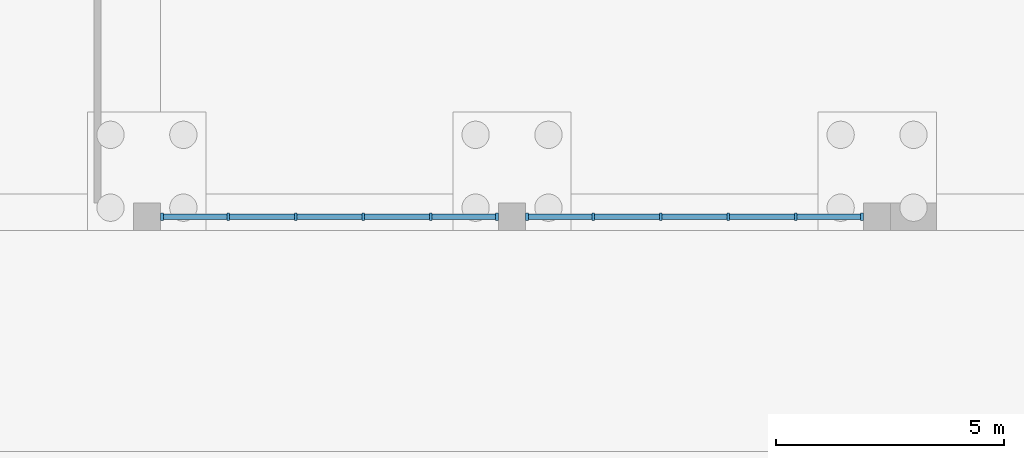
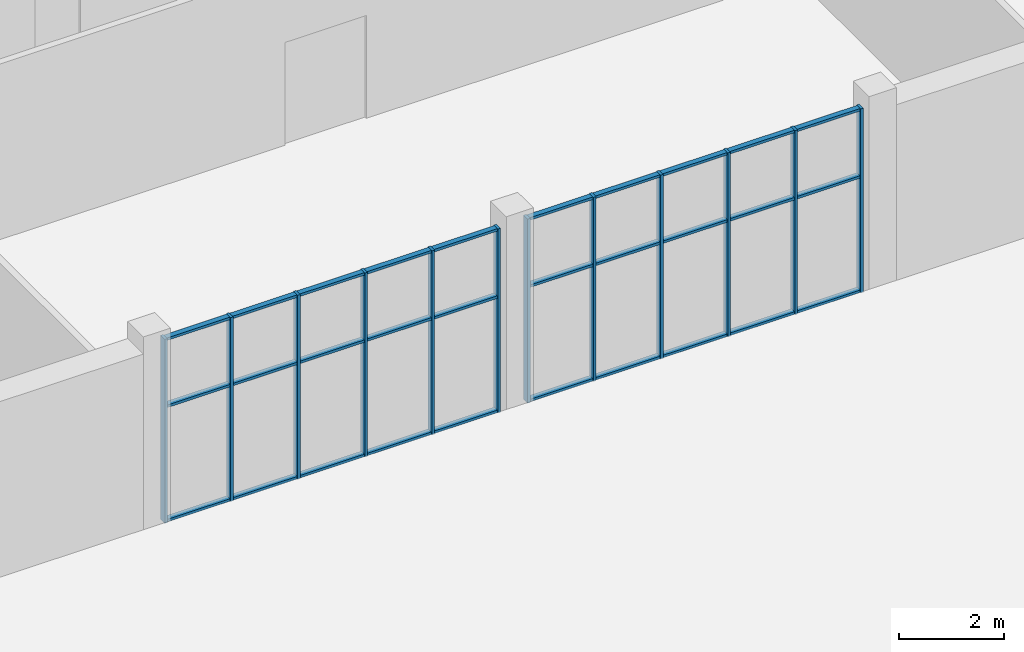
# One storey, part 8 of 42: 42 members, 2 elements without a shape of their own.
"""IFC4 building model written with IfcOpenShell, lengths in metres."""

from ifc_helpers import new_model, si_unit, direction, frame, origin, origin_2d, place, context, subcontext, project, spatial, rectangle, extrude, material, material_profile, profile_set, type_object, element, aggregate, save


model = new_model("IFC4")

# Units and contexts
model_context = context("Model", 3, precision=1e-05, world=origin(), true_north=direction((0.0, 1.0)))
body_context = subcontext(model_context, "Body", "Model", "MODEL_VIEW")
ifc_project = project(units=[si_unit("LENGTHUNIT", "METRE"), si_unit("AREAUNIT", "SQUARE_METRE"), si_unit("VOLUMEUNIT", "CUBIC_METRE"), si_unit("PLANEANGLEUNIT", "RADIAN"), si_unit("MASSUNIT", "GRAM", prefix="KILO")], contexts=[model_context])

# Site, building, storey
site_placement = place(None, origin())
site = spatial("IfcSite", under=ifc_project, at=site_placement, CompositionType="ELEMENT")
building_placement = place(site_placement, origin())
building = spatial("IfcBuilding", under=site, at=building_placement, Name="Dilmun Exchange Tower", CompositionType="ELEMENT")
storey_placement = place(building_placement, origin())
storey = spatial("IfcBuildingStorey", under=building, at=storey_placement, Name="L00", CompositionType="ELEMENT", Elevation=0.0)

# Curtain wall, members
ifc_material = material(Name="Aluminium", Category="aluminium")
curtain_wall_type = type_object("IfcCurtainWallType", Name="School arcade glazing", PredefinedType="NOTDEFINED", material=ifc_material)
curtain_wall_1_placement = place(storey_placement, origin())
curtain_wall_1 = element("IfcCurtainWall", 1, at=curtain_wall_1_placement, inside=storey, type_object=curtain_wall_type, Name="School arcade glazing", PredefinedType="NOTDEFINED")
ifc_material_profile_1 = material_profile(ifc_material, rectangle(XDim=0.159912109375, YDim=0.06005859375, at=origin_2d()), Name="60 x 160")
ifc_profile_set_1 = profile_set([ifc_material_profile_1], Name="Aluminium")
member_type_1 = type_object("IfcMemberType", Name="School arcade glazing mullion 60 x 160", PredefinedType="MULLION", material=ifc_profile_set_1)
member_1_placement = place(storey_placement, frame((-20.74658203125, -59.85009765625, -0.199951171875), z_axis=(0.0, 0.0, 1.0), x_axis=(0.0, -1.0, 0.0)))
member_1 = element("IfcMember", 2, at=member_1_placement, type_object=member_type_1, Name="SCH-CW1 mullion 1", PredefinedType="MULLION", context=body_context, shape_type="SweptSolid", body=[
    extrude(rectangle(XDim=0.159912109375, YDim=0.06005859375, at=origin_2d()), origin(), (0.0, 0.0, 1.0), 4.300048828125),
])
member_2_placement = place(storey_placement, frame((-22.199951171875, -59.85009765625, -0.199951171875), z_axis=(0.0, 0.0, 1.0), x_axis=(0.0, -1.0, 0.0)))
member_2 = element("IfcMember", 3, at=member_2_placement, type_object=member_type_1, Name="SCH-CW1 mullion 2", PredefinedType="MULLION", context=body_context, shape_type="SweptSolid", body=[
    extrude(rectangle(XDim=0.159912109375, YDim=0.06005859375, at=origin_2d()), origin(), (0.0, 0.0, 1.0), 4.300048828125),
])
member_3_placement = place(storey_placement, frame((-23.683349609375, -59.85009765625, -0.199951171875), z_axis=(0.0, 0.0, 1.0), x_axis=(0.0, -1.0, 0.0)))
member_3 = element("IfcMember", 4, at=member_3_placement, type_object=member_type_1, Name="SCH-CW1 mullion 3", PredefinedType="MULLION", context=body_context, shape_type="SweptSolid", body=[
    extrude(rectangle(XDim=0.159912109375, YDim=0.06005859375, at=origin_2d()), origin(), (0.0, 0.0, 1.0), 4.300048828125),
])
member_4_placement = place(storey_placement, frame((-25.166748046875, -59.85009765625, -0.199951171875), z_axis=(0.0, 0.0, 1.0), x_axis=(0.0, -1.0, 0.0)))
member_4 = element("IfcMember", 5, at=member_4_placement, type_object=member_type_1, Name="SCH-CW1 mullion 4", PredefinedType="MULLION", context=body_context, shape_type="SweptSolid", body=[
    extrude(rectangle(XDim=0.159912109375, YDim=0.06005859375, at=origin_2d()), origin(), (0.0, 0.0, 1.0), 4.300048828125),
])
member_5_placement = place(storey_placement, frame((-26.64990234375, -59.85009765625, -0.199951171875), z_axis=(0.0, 0.0, 1.0), x_axis=(0.0, -1.0, 0.0)))
member_5 = element("IfcMember", 6, at=member_5_placement, type_object=member_type_1, Name="SCH-CW1 mullion 5", PredefinedType="MULLION", context=body_context, shape_type="SweptSolid", body=[
    extrude(rectangle(XDim=0.159912109375, YDim=0.06005859375, at=origin_2d()), origin(), (0.0, 0.0, 1.0), 4.300048828125),
])
member_6_placement = place(storey_placement, frame((-28.103271484375, -59.85009765625, -0.199951171875), z_axis=(0.0, 0.0, 1.0), x_axis=(0.0, -1.0, 0.0)))
member_6 = element("IfcMember", 7, at=member_6_placement, type_object=member_type_1, Name="SCH-CW1 mullion 6", PredefinedType="MULLION", context=body_context, shape_type="SweptSolid", body=[
    extrude(rectangle(XDim=0.159912109375, YDim=0.06005859375, at=origin_2d()), origin(), (0.0, 0.0, 1.0), 4.300048828125),
])

curtain_wall_2_placement = place(storey_placement, origin())
curtain_wall_2 = element("IfcCurtainWall", 8, at=curtain_wall_2_placement, inside=storey, type_object=curtain_wall_type, Name="School arcade glazing", PredefinedType="NOTDEFINED")
member_7_placement = place(storey_placement, frame((-28.76318359375, -59.85009765625, -0.199951171875), z_axis=(0.0, 0.0, 1.0), x_axis=(0.0, -1.0, 0.0)))
member_7 = element("IfcMember", 9, at=member_7_placement, type_object=member_type_1, Name="SCH-CW1 mullion 1", PredefinedType="MULLION", context=body_context, shape_type="SweptSolid", body=[
    extrude(rectangle(XDim=0.159912109375, YDim=0.06005859375, at=origin_2d()), origin(), (0.0, 0.0, 1.0), 4.300048828125),
])
member_8_placement = place(storey_placement, frame((-30.216552734375, -59.85009765625, -0.199951171875), z_axis=(0.0, 0.0, 1.0), x_axis=(0.0, -1.0, 0.0)))
member_8 = element("IfcMember", 10, at=member_8_placement, type_object=member_type_1, Name="SCH-CW1 mullion 2", PredefinedType="MULLION", context=body_context, shape_type="SweptSolid", body=[
    extrude(rectangle(XDim=0.159912109375, YDim=0.06005859375, at=origin_2d()), origin(), (0.0, 0.0, 1.0), 4.300048828125),
])
member_9_placement = place(storey_placement, frame((-31.699951171875, -59.85009765625, -0.199951171875), z_axis=(0.0, 0.0, 1.0), x_axis=(0.0, -1.0, 0.0)))
member_9 = element("IfcMember", 11, at=member_9_placement, type_object=member_type_1, Name="SCH-CW1 mullion 3", PredefinedType="MULLION", context=body_context, shape_type="SweptSolid", body=[
    extrude(rectangle(XDim=0.159912109375, YDim=0.06005859375, at=origin_2d()), origin(), (0.0, 0.0, 1.0), 4.300048828125),
])
member_10_placement = place(storey_placement, frame((-33.183349609375, -59.85009765625, -0.199951171875), z_axis=(0.0, 0.0, 1.0), x_axis=(0.0, -1.0, 0.0)))
member_10 = element("IfcMember", 12, at=member_10_placement, type_object=member_type_1, Name="SCH-CW1 mullion 4", PredefinedType="MULLION", context=body_context, shape_type="SweptSolid", body=[
    extrude(rectangle(XDim=0.159912109375, YDim=0.06005859375, at=origin_2d()), origin(), (0.0, 0.0, 1.0), 4.300048828125),
])
member_11_placement = place(storey_placement, frame((-34.666748046875, -59.85009765625, -0.199951171875), z_axis=(0.0, 0.0, 1.0), x_axis=(0.0, -1.0, 0.0)))
member_11 = element("IfcMember", 13, at=member_11_placement, type_object=member_type_1, Name="SCH-CW1 mullion 5", PredefinedType="MULLION", context=body_context, shape_type="SweptSolid", body=[
    extrude(rectangle(XDim=0.159912109375, YDim=0.06005859375, at=origin_2d()), origin(), (0.0, 0.0, 1.0), 4.300048828125),
])
member_12_placement = place(storey_placement, frame((-36.1201171875, -59.85009765625, -0.199951171875), z_axis=(0.0, 0.0, 1.0), x_axis=(0.0, -1.0, 0.0)))
member_12 = element("IfcMember", 14, at=member_12_placement, type_object=member_type_1, Name="SCH-CW1 mullion 6", PredefinedType="MULLION", context=body_context, shape_type="SweptSolid", body=[
    extrude(rectangle(XDim=0.159912109375, YDim=0.06005859375, at=origin_2d()), origin(), (0.0, 0.0, 1.0), 4.300048828125),
])

# Member
ifc_material_profile_2 = material_profile(ifc_material, rectangle(XDim=0.1201171875, YDim=0.06005859375, at=origin_2d()), Name="60 x 120")
ifc_profile_set_2 = profile_set([ifc_material_profile_2], Name="Aluminium")
member_type_2 = type_object("IfcMemberType", Name="School arcade glazing transom 60 x 120", PredefinedType="USERDEFINED", material=ifc_profile_set_2)
member_13_placement = place(storey_placement, frame((-20.776611328125, -59.85009765625, -0.169921875), z_axis=(-1.0, 0.0, 0.0), x_axis=(0.0, -1.0, 0.0)))
member_13 = element("IfcMember", 15, at=member_13_placement, type_object=member_type_2, Name="SCH-CW1 transom 1.1", ObjectType="TRANSOM", PredefinedType="USERDEFINED", context=body_context, shape_type="SweptSolid", body=[
    extrude(rectangle(XDim=0.1201171875, YDim=0.06005859375, at=origin_2d()), origin(), (0.0, 0.0, 1.0), 1.393310546875),
])

member_14_placement = place(storey_placement, frame((-20.776611328125, -59.85009765625, 2.5), z_axis=(-1.0, 0.0, 0.0), x_axis=(0.0, -1.0, 0.0)))
member_14 = element("IfcMember", 16, at=member_14_placement, type_object=member_type_2, Name="SCH-CW1 transom 1.2", ObjectType="TRANSOM", PredefinedType="USERDEFINED", context=body_context, shape_type="SweptSolid", body=[
    extrude(rectangle(XDim=0.1201171875, YDim=0.06005859375, at=origin_2d()), origin(), (0.0, 0.0, 1.0), 1.393310546875),
])

member_15_placement = place(storey_placement, frame((-20.776611328125, -59.85009765625, 4.070068359375), z_axis=(-1.0, 0.0, 0.0), x_axis=(0.0, -1.0, 0.0)))
member_15 = element("IfcMember", 17, at=member_15_placement, type_object=member_type_2, Name="SCH-CW1 transom 1.3", ObjectType="TRANSOM", PredefinedType="USERDEFINED", context=body_context, shape_type="SweptSolid", body=[
    extrude(rectangle(XDim=0.1201171875, YDim=0.06005859375, at=origin_2d()), origin(), (0.0, 0.0, 1.0), 1.393310546875),
])

member_16_placement = place(storey_placement, frame((-22.22998046875, -59.85009765625, -0.169921875), z_axis=(-1.0, 0.0, 0.0), x_axis=(0.0, -1.0, 0.0)))
member_16 = element("IfcMember", 18, at=member_16_placement, type_object=member_type_2, Name="SCH-CW1 transom 2.1", ObjectType="TRANSOM", PredefinedType="USERDEFINED", context=body_context, shape_type="SweptSolid", body=[
    extrude(rectangle(XDim=0.1201171875, YDim=0.06005859375, at=origin_2d()), origin(), (0.0, 0.0, 1.0), 1.42333984375),
])

member_17_placement = place(storey_placement, frame((-22.22998046875, -59.85009765625, 2.5), z_axis=(-1.0, 0.0, 0.0), x_axis=(0.0, -1.0, 0.0)))
member_17 = element("IfcMember", 19, at=member_17_placement, type_object=member_type_2, Name="SCH-CW1 transom 2.2", ObjectType="TRANSOM", PredefinedType="USERDEFINED", context=body_context, shape_type="SweptSolid", body=[
    extrude(rectangle(XDim=0.1201171875, YDim=0.06005859375, at=origin_2d()), origin(), (0.0, 0.0, 1.0), 1.42333984375),
])

member_18_placement = place(storey_placement, frame((-22.22998046875, -59.85009765625, 4.070068359375), z_axis=(-1.0, 0.0, 0.0), x_axis=(0.0, -1.0, 0.0)))
member_18 = element("IfcMember", 20, at=member_18_placement, type_object=member_type_2, Name="SCH-CW1 transom 2.3", ObjectType="TRANSOM", PredefinedType="USERDEFINED", context=body_context, shape_type="SweptSolid", body=[
    extrude(rectangle(XDim=0.1201171875, YDim=0.06005859375, at=origin_2d()), origin(), (0.0, 0.0, 1.0), 1.42333984375),
])

member_19_placement = place(storey_placement, frame((-23.71337890625, -59.85009765625, -0.169921875), z_axis=(-1.0, 0.0, 0.0), x_axis=(0.0, -1.0, 0.0)))
member_19 = element("IfcMember", 21, at=member_19_placement, type_object=member_type_2, Name="SCH-CW1 transom 3.1", ObjectType="TRANSOM", PredefinedType="USERDEFINED", context=body_context, shape_type="SweptSolid", body=[
    extrude(rectangle(XDim=0.1201171875, YDim=0.06005859375, at=origin_2d()), origin(), (0.0, 0.0, 1.0), 1.42333984375),
])

member_20_placement = place(storey_placement, frame((-23.71337890625, -59.85009765625, 2.5), z_axis=(-1.0, 0.0, 0.0), x_axis=(0.0, -1.0, 0.0)))
member_20 = element("IfcMember", 22, at=member_20_placement, type_object=member_type_2, Name="SCH-CW1 transom 3.2", ObjectType="TRANSOM", PredefinedType="USERDEFINED", context=body_context, shape_type="SweptSolid", body=[
    extrude(rectangle(XDim=0.1201171875, YDim=0.06005859375, at=origin_2d()), origin(), (0.0, 0.0, 1.0), 1.42333984375),
])

member_21_placement = place(storey_placement, frame((-23.71337890625, -59.85009765625, 4.070068359375), z_axis=(-1.0, 0.0, 0.0), x_axis=(0.0, -1.0, 0.0)))
member_21 = element("IfcMember", 23, at=member_21_placement, type_object=member_type_2, Name="SCH-CW1 transom 3.3", ObjectType="TRANSOM", PredefinedType="USERDEFINED", context=body_context, shape_type="SweptSolid", body=[
    extrude(rectangle(XDim=0.1201171875, YDim=0.06005859375, at=origin_2d()), origin(), (0.0, 0.0, 1.0), 1.42333984375),
])

member_22_placement = place(storey_placement, frame((-25.19677734375, -59.85009765625, -0.169921875), z_axis=(-1.0, 0.0, 0.0), x_axis=(0.0, -1.0, 0.0)))
member_22 = element("IfcMember", 24, at=member_22_placement, type_object=member_type_2, Name="SCH-CW1 transom 4.1", ObjectType="TRANSOM", PredefinedType="USERDEFINED", context=body_context, shape_type="SweptSolid", body=[
    extrude(rectangle(XDim=0.1201171875, YDim=0.06005859375, at=origin_2d()), origin(), (0.0, 0.0, 1.0), 1.423095703125),
])

member_23_placement = place(storey_placement, frame((-25.19677734375, -59.85009765625, 2.5), z_axis=(-1.0, 0.0, 0.0), x_axis=(0.0, -1.0, 0.0)))
member_23 = element("IfcMember", 25, at=member_23_placement, type_object=member_type_2, Name="SCH-CW1 transom 4.2", ObjectType="TRANSOM", PredefinedType="USERDEFINED", context=body_context, shape_type="SweptSolid", body=[
    extrude(rectangle(XDim=0.1201171875, YDim=0.06005859375, at=origin_2d()), origin(), (0.0, 0.0, 1.0), 1.423095703125),
])

member_24_placement = place(storey_placement, frame((-25.19677734375, -59.85009765625, 4.070068359375), z_axis=(-1.0, 0.0, 0.0), x_axis=(0.0, -1.0, 0.0)))
member_24 = element("IfcMember", 26, at=member_24_placement, type_object=member_type_2, Name="SCH-CW1 transom 4.3", ObjectType="TRANSOM", PredefinedType="USERDEFINED", context=body_context, shape_type="SweptSolid", body=[
    extrude(rectangle(XDim=0.1201171875, YDim=0.06005859375, at=origin_2d()), origin(), (0.0, 0.0, 1.0), 1.423095703125),
])

member_25_placement = place(storey_placement, frame((-26.679931640625, -59.85009765625, -0.169921875), z_axis=(-1.0, 0.0, 0.0), x_axis=(0.0, -1.0, 0.0)))
member_25 = element("IfcMember", 27, at=member_25_placement, type_object=member_type_2, Name="SCH-CW1 transom 5.1", ObjectType="TRANSOM", PredefinedType="USERDEFINED", context=body_context, shape_type="SweptSolid", body=[
    extrude(rectangle(XDim=0.1201171875, YDim=0.06005859375, at=origin_2d()), origin(), (0.0, 0.0, 1.0), 1.393310546875),
])

member_26_placement = place(storey_placement, frame((-26.679931640625, -59.85009765625, 2.5), z_axis=(-1.0, 0.0, 0.0), x_axis=(0.0, -1.0, 0.0)))
member_26 = element("IfcMember", 28, at=member_26_placement, type_object=member_type_2, Name="SCH-CW1 transom 5.2", ObjectType="TRANSOM", PredefinedType="USERDEFINED", context=body_context, shape_type="SweptSolid", body=[
    extrude(rectangle(XDim=0.1201171875, YDim=0.06005859375, at=origin_2d()), origin(), (0.0, 0.0, 1.0), 1.393310546875),
])

member_27_placement = place(storey_placement, frame((-26.679931640625, -59.85009765625, 4.070068359375), z_axis=(-1.0, 0.0, 0.0), x_axis=(0.0, -1.0, 0.0)))
member_27 = element("IfcMember", 29, at=member_27_placement, type_object=member_type_2, Name="SCH-CW1 transom 5.3", ObjectType="TRANSOM", PredefinedType="USERDEFINED", context=body_context, shape_type="SweptSolid", body=[
    extrude(rectangle(XDim=0.1201171875, YDim=0.06005859375, at=origin_2d()), origin(), (0.0, 0.0, 1.0), 1.393310546875),
])

aggregate(curtain_wall_1, [member_1, member_2, member_3, member_4, member_5, member_6, member_13, member_14, member_15, member_16, member_17, member_18, member_19, member_20, member_21, member_22, member_23, member_24, member_25, member_26, member_27])

member_28_placement = place(storey_placement, frame((-28.793212890625, -59.85009765625, -0.169921875), z_axis=(-1.0, 0.0, 0.0), x_axis=(0.0, -1.0, 0.0)))
member_28 = element("IfcMember", 30, at=member_28_placement, type_object=member_type_2, Name="SCH-CW1 transom 1.1", ObjectType="TRANSOM", PredefinedType="USERDEFINED", context=body_context, shape_type="SweptSolid", body=[
    extrude(rectangle(XDim=0.1201171875, YDim=0.06005859375, at=origin_2d()), origin(), (0.0, 0.0, 1.0), 1.393310546875),
])

member_29_placement = place(storey_placement, frame((-28.793212890625, -59.85009765625, 2.5), z_axis=(-1.0, 0.0, 0.0), x_axis=(0.0, -1.0, 0.0)))
member_29 = element("IfcMember", 31, at=member_29_placement, type_object=member_type_2, Name="SCH-CW1 transom 1.2", ObjectType="TRANSOM", PredefinedType="USERDEFINED", context=body_context, shape_type="SweptSolid", body=[
    extrude(rectangle(XDim=0.1201171875, YDim=0.06005859375, at=origin_2d()), origin(), (0.0, 0.0, 1.0), 1.393310546875),
])

member_30_placement = place(storey_placement, frame((-28.793212890625, -59.85009765625, 4.070068359375), z_axis=(-1.0, 0.0, 0.0), x_axis=(0.0, -1.0, 0.0)))
member_30 = element("IfcMember", 32, at=member_30_placement, type_object=member_type_2, Name="SCH-CW1 transom 1.3", ObjectType="TRANSOM", PredefinedType="USERDEFINED", context=body_context, shape_type="SweptSolid", body=[
    extrude(rectangle(XDim=0.1201171875, YDim=0.06005859375, at=origin_2d()), origin(), (0.0, 0.0, 1.0), 1.393310546875),
])

member_31_placement = place(storey_placement, frame((-30.24658203125, -59.85009765625, -0.169921875), z_axis=(-1.0, 0.0, 0.0), x_axis=(0.0, -1.0, 0.0)))
member_31 = element("IfcMember", 33, at=member_31_placement, type_object=member_type_2, Name="SCH-CW1 transom 2.1", ObjectType="TRANSOM", PredefinedType="USERDEFINED", context=body_context, shape_type="SweptSolid", body=[
    extrude(rectangle(XDim=0.1201171875, YDim=0.06005859375, at=origin_2d()), origin(), (0.0, 0.0, 1.0), 1.42333984375),
])

member_32_placement = place(storey_placement, frame((-30.24658203125, -59.85009765625, 2.5), z_axis=(-1.0, 0.0, 0.0), x_axis=(0.0, -1.0, 0.0)))
member_32 = element("IfcMember", 34, at=member_32_placement, type_object=member_type_2, Name="SCH-CW1 transom 2.2", ObjectType="TRANSOM", PredefinedType="USERDEFINED", context=body_context, shape_type="SweptSolid", body=[
    extrude(rectangle(XDim=0.1201171875, YDim=0.06005859375, at=origin_2d()), origin(), (0.0, 0.0, 1.0), 1.42333984375),
])

member_33_placement = place(storey_placement, frame((-30.24658203125, -59.85009765625, 4.070068359375), z_axis=(-1.0, 0.0, 0.0), x_axis=(0.0, -1.0, 0.0)))
member_33 = element("IfcMember", 35, at=member_33_placement, type_object=member_type_2, Name="SCH-CW1 transom 2.3", ObjectType="TRANSOM", PredefinedType="USERDEFINED", context=body_context, shape_type="SweptSolid", body=[
    extrude(rectangle(XDim=0.1201171875, YDim=0.06005859375, at=origin_2d()), origin(), (0.0, 0.0, 1.0), 1.42333984375),
])

member_34_placement = place(storey_placement, frame((-31.72998046875, -59.85009765625, -0.169921875), z_axis=(-1.0, 0.0, 0.0), x_axis=(0.0, -1.0, 0.0)))
member_34 = element("IfcMember", 36, at=member_34_placement, type_object=member_type_2, Name="SCH-CW1 transom 3.1", ObjectType="TRANSOM", PredefinedType="USERDEFINED", context=body_context, shape_type="SweptSolid", body=[
    extrude(rectangle(XDim=0.1201171875, YDim=0.06005859375, at=origin_2d()), origin(), (0.0, 0.0, 1.0), 1.42333984375),
])

member_35_placement = place(storey_placement, frame((-31.72998046875, -59.85009765625, 2.5), z_axis=(-1.0, 0.0, 0.0), x_axis=(0.0, -1.0, 0.0)))
member_35 = element("IfcMember", 37, at=member_35_placement, type_object=member_type_2, Name="SCH-CW1 transom 3.2", ObjectType="TRANSOM", PredefinedType="USERDEFINED", context=body_context, shape_type="SweptSolid", body=[
    extrude(rectangle(XDim=0.1201171875, YDim=0.06005859375, at=origin_2d()), origin(), (0.0, 0.0, 1.0), 1.42333984375),
])

member_36_placement = place(storey_placement, frame((-31.72998046875, -59.85009765625, 4.070068359375), z_axis=(-1.0, 0.0, 0.0), x_axis=(0.0, -1.0, 0.0)))
member_36 = element("IfcMember", 38, at=member_36_placement, type_object=member_type_2, Name="SCH-CW1 transom 3.3", ObjectType="TRANSOM", PredefinedType="USERDEFINED", context=body_context, shape_type="SweptSolid", body=[
    extrude(rectangle(XDim=0.1201171875, YDim=0.06005859375, at=origin_2d()), origin(), (0.0, 0.0, 1.0), 1.42333984375),
])

member_37_placement = place(storey_placement, frame((-33.21337890625, -59.85009765625, -0.169921875), z_axis=(-1.0, 0.0, 0.0), x_axis=(0.0, -1.0, 0.0)))
member_37 = element("IfcMember", 39, at=member_37_placement, type_object=member_type_2, Name="SCH-CW1 transom 4.1", ObjectType="TRANSOM", PredefinedType="USERDEFINED", context=body_context, shape_type="SweptSolid", body=[
    extrude(rectangle(XDim=0.1201171875, YDim=0.06005859375, at=origin_2d()), origin(), (0.0, 0.0, 1.0), 1.42333984375),
])

member_38_placement = place(storey_placement, frame((-33.21337890625, -59.85009765625, 2.5), z_axis=(-1.0, 0.0, 0.0), x_axis=(0.0, -1.0, 0.0)))
member_38 = element("IfcMember", 40, at=member_38_placement, type_object=member_type_2, Name="SCH-CW1 transom 4.2", ObjectType="TRANSOM", PredefinedType="USERDEFINED", context=body_context, shape_type="SweptSolid", body=[
    extrude(rectangle(XDim=0.1201171875, YDim=0.06005859375, at=origin_2d()), origin(), (0.0, 0.0, 1.0), 1.42333984375),
])

member_39_placement = place(storey_placement, frame((-33.21337890625, -59.85009765625, 4.070068359375), z_axis=(-1.0, 0.0, 0.0), x_axis=(0.0, -1.0, 0.0)))
member_39 = element("IfcMember", 41, at=member_39_placement, type_object=member_type_2, Name="SCH-CW1 transom 4.3", ObjectType="TRANSOM", PredefinedType="USERDEFINED", context=body_context, shape_type="SweptSolid", body=[
    extrude(rectangle(XDim=0.1201171875, YDim=0.06005859375, at=origin_2d()), origin(), (0.0, 0.0, 1.0), 1.42333984375),
])

member_40_placement = place(storey_placement, frame((-34.69677734375, -59.85009765625, -0.169921875), z_axis=(-1.0, 0.0, 0.0), x_axis=(0.0, -1.0, 0.0)))
member_40 = element("IfcMember", 42, at=member_40_placement, type_object=member_type_2, Name="SCH-CW1 transom 5.1", ObjectType="TRANSOM", PredefinedType="USERDEFINED", context=body_context, shape_type="SweptSolid", body=[
    extrude(rectangle(XDim=0.1201171875, YDim=0.06005859375, at=origin_2d()), origin(), (0.0, 0.0, 1.0), 1.393310546875),
])

member_41_placement = place(storey_placement, frame((-34.69677734375, -59.85009765625, 2.5), z_axis=(-1.0, 0.0, 0.0), x_axis=(0.0, -1.0, 0.0)))
member_41 = element("IfcMember", 43, at=member_41_placement, type_object=member_type_2, Name="SCH-CW1 transom 5.2", ObjectType="TRANSOM", PredefinedType="USERDEFINED", context=body_context, shape_type="SweptSolid", body=[
    extrude(rectangle(XDim=0.1201171875, YDim=0.06005859375, at=origin_2d()), origin(), (0.0, 0.0, 1.0), 1.393310546875),
])

member_42_placement = place(storey_placement, frame((-34.69677734375, -59.85009765625, 4.070068359375), z_axis=(-1.0, 0.0, 0.0), x_axis=(0.0, -1.0, 0.0)))
member_42 = element("IfcMember", 44, at=member_42_placement, type_object=member_type_2, Name="SCH-CW1 transom 5.3", ObjectType="TRANSOM", PredefinedType="USERDEFINED", context=body_context, shape_type="SweptSolid", body=[
    extrude(rectangle(XDim=0.1201171875, YDim=0.06005859375, at=origin_2d()), origin(), (0.0, 0.0, 1.0), 1.393310546875),
])

aggregate(curtain_wall_2, [member_7, member_8, member_9, member_10, member_11, member_12, member_28, member_29, member_30, member_31, member_32, member_33, member_34, member_35, member_36, member_37, member_38, member_39, member_40, member_41, member_42])

save(model, "model.ifc")
